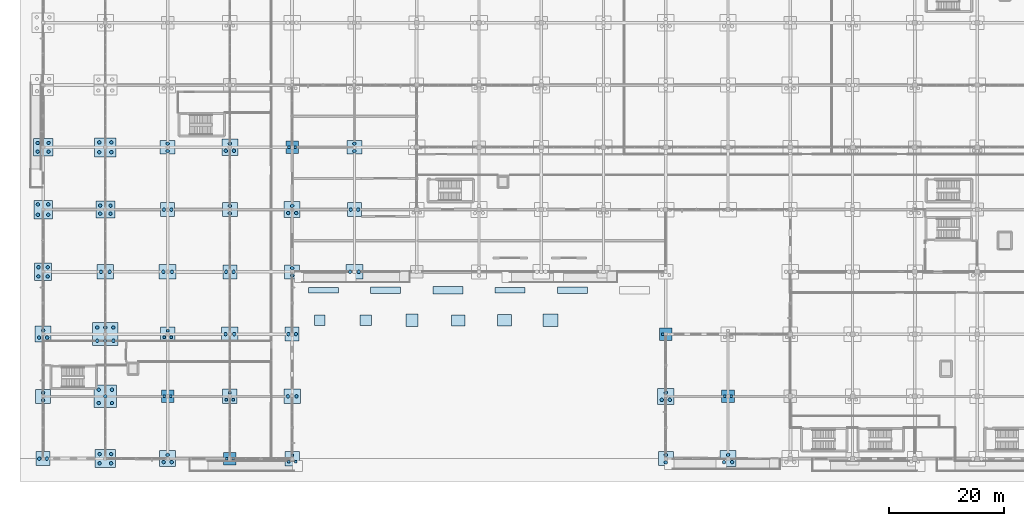
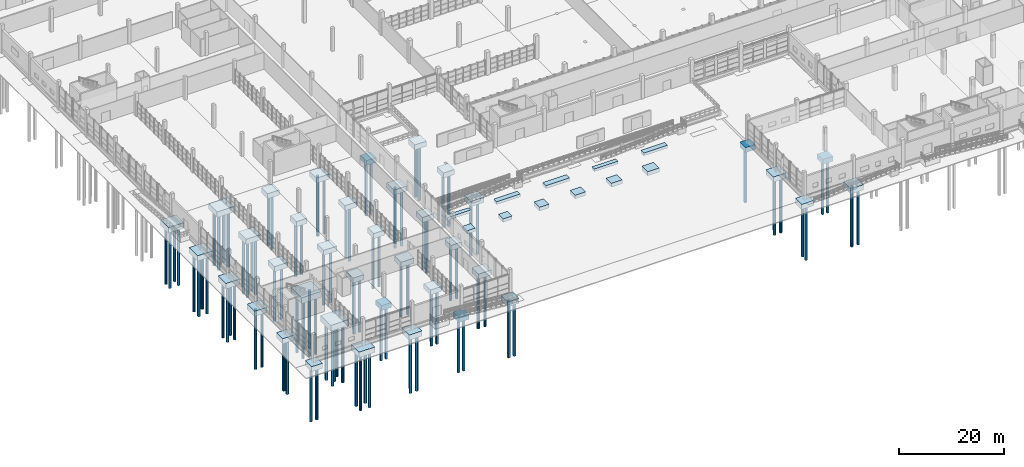
# One storey, part 1 of 138: 103 piles, 49 footings.
"""IFC4 building model written with IfcOpenShell, lengths in metres."""

from ifc_helpers import new_model, si_unit, direction, frame, origin, origin_2d, place, context, subcontext, project, spatial, rectangle, circle, extrude, material, material_profile, profile_set, type_object, element, save


model = new_model("IFC4")

# Units and contexts
model_context = context("Model", 3, precision=1e-05, world=origin(), true_north=direction((0.0, 1.0)))
body_context = subcontext(model_context, "Body", "Model", "MODEL_VIEW")
ifc_project = project(units=[si_unit("LENGTHUNIT", "METRE"), si_unit("AREAUNIT", "SQUARE_METRE"), si_unit("VOLUMEUNIT", "CUBIC_METRE"), si_unit("PLANEANGLEUNIT", "RADIAN"), si_unit("MASSUNIT", "GRAM", prefix="KILO")], contexts=[model_context])

# Site, building, storey
site_placement = place(None, origin())
site = spatial("IfcSite", under=ifc_project, at=site_placement, CompositionType="ELEMENT")
building_placement = place(site_placement, origin())
building = spatial("IfcBuilding", under=site, at=building_placement, Name="Zwinboog Wholesale Market", CompositionType="ELEMENT")
storey_placement = place(building_placement, origin())
storey = spatial("IfcBuildingStorey", under=building, at=storey_placement, Name="L00", CompositionType="ELEMENT", Elevation=0.0)

# Piles
ifc_material_1 = material(Name="Concrete C40/50", Category="concrete")
ifc_material_profile_1 = material_profile(ifc_material_1, circle(Radius=0.300048828125, at=origin_2d()), Name="PILE D600")
ifc_profile_set_1 = profile_set([ifc_material_profile_1], Name="Concrete C40/50")
pile_type_1 = type_object("IfcPileType", Name="PT-BORED-600", PredefinedType="BORED", material=ifc_profile_set_1)
for number, where, z_axis, x_axis, name in (
    (1, (-0.64990234375, 0.0, -2.300048828125), (0.0, 0.0, -1.0), (1.0, 0.0, 0.0), "P-01 (PIL-0001)"),
    (2, (0.64990234375, 0.0, -2.300048828125), (0.0, 0.0, -1.0), (1.0, 0.0, 0.0), "P-01 (PIL-0002)"),
    (3, (0.0, 10.14990234375, -2.300048828125), (0.0, 0.0, -1.0), (1.0, 0.0, 0.0), "P-01 (PIL-0003)"),
    (4, (0.0, 11.449951171875, -2.300048828125), (0.0, 0.0, -1.0), (1.0, 0.0, 0.0), "P-01 (PIL-0004)"),
):
    element("IfcPile", number, at=place(storey_placement, frame(where, z_axis=z_axis, x_axis=x_axis)), inside=storey, type_object=pile_type_1, Name=name, PredefinedType="BORED", context=body_context, shape_type="SweptSolid", body=[
        extrude(circle(Radius=0.300048828125, at=origin_2d()), origin(), (0.0, 0.0, 1.0), 12.5),
    ])
for number, where, z_axis, x_axis, name in (
    (5, (-0.699951171875, 21.0, -2.300048828125), (0.0, 0.0, -1.0), (1.0, 0.0, 0.0), "P-01 (PIL-0005)"),
    (6, (0.699951171875, 21.0, -2.300048828125), (0.0, 0.0, -1.0), (1.0, 0.0, 0.0), "P-01 (PIL-0006)"),
    (7, (0.0, 22.25, -2.300048828125), (0.0, 0.0, -1.0), (1.0, 0.0, 0.0), "P-01 (PIL-0007)"),
    (8, (-0.800048828125, 31.60009765625, -2.35009765625), (0.0, 0.0, -1.0), (1.0, 0.0, 0.0), "P-01 (PIL-0008)"),
    (9, (0.800048828125, 31.60009765625, -2.35009765625), (0.0, 0.0, -1.0), (1.0, 0.0, 0.0), "P-01 (PIL-0009)"),
    (10, (-0.800048828125, 33.199951171875, -2.35009765625), (0.0, 0.0, -1.0), (1.0, 0.0, 0.0), "P-01 (PIL-0010)"),
    (11, (0.800048828125, 33.199951171875, -2.35009765625), (0.0, 0.0, -1.0), (1.0, 0.0, 0.0), "P-01 (PIL-0011)"),
):
    element("IfcPile", number, at=place(storey_placement, frame(where, z_axis=z_axis, x_axis=x_axis)), inside=storey, type_object=pile_type_1, Name=name, PredefinedType="BORED", context=body_context, shape_type="SweptSolid", body=[
        extrude(circle(Radius=0.300048828125, at=origin_2d()), origin(), (0.0, 0.0, 1.0), 13.0),
    ])
for number, where, z_axis, x_axis, name in (
    (12, (-0.89990234375, 42.300048828125, -2.35009765625), (0.0, 0.0, -1.0), (1.0, 0.0, 0.0), "P-01 (PIL-0012)"),
    (13, (0.89990234375, 42.300048828125, -2.35009765625), (0.0, 0.0, -1.0), (1.0, 0.0, 0.0), "P-01 (PIL-0013)"),
    (14, (-0.89990234375, 44.10009765625, -2.35009765625), (0.0, 0.0, -1.0), (1.0, 0.0, 0.0), "P-01 (PIL-0014)"),
    (15, (0.89990234375, 44.10009765625, -2.35009765625), (0.0, 0.0, -1.0), (1.0, 0.0, 0.0), "P-01 (PIL-0015)"),
    (16, (-0.949951171875, 53.25, -2.39990234375), (0.0, 0.0, -1.0), (1.0, 0.0, 0.0), "P-01 (PIL-0016)"),
    (17, (0.949951171875, 53.25, -2.39990234375), (0.0, 0.0, -1.0), (1.0, 0.0, 0.0), "P-01 (PIL-0017)"),
    (18, (-0.949951171875, 54.75, -2.39990234375), (0.0, 0.0, -1.0), (1.0, 0.0, 0.0), "P-01 (PIL-0018)"),
    (19, (0.949951171875, 54.75, -2.39990234375), (0.0, 0.0, -1.0), (1.0, 0.0, 0.0), "P-01 (PIL-0019)"),
):
    element("IfcPile", number, at=place(storey_placement, frame(where, z_axis=z_axis, x_axis=x_axis)), inside=storey, type_object=pile_type_1, Name=name, PredefinedType="BORED", context=body_context, shape_type="SweptSolid", body=[
        extrude(circle(Radius=0.300048828125, at=origin_2d()), origin(), (0.0, 0.0, 1.0), 13.5),
    ])
for number, where, z_axis, x_axis, name in (
    (20, (9.800048828125, -0.800048828125, -2.35009765625), (0.0, 0.0, -1.0), (1.0, 0.0, 0.0), "P-01 (PIL-0048)"),
    (21, (11.800048828125, -0.800048828125, -2.35009765625), (0.0, 0.0, -1.0), (1.0, 0.0, 0.0), "P-01 (PIL-0049)"),
    (22, (9.800048828125, 0.800048828125, -2.35009765625), (0.0, 0.0, -1.0), (1.0, 0.0, 0.0), "P-01 (PIL-0050)"),
    (23, (11.800048828125, 0.800048828125, -2.35009765625), (0.0, 0.0, -1.0), (1.0, 0.0, 0.0), "P-01 (PIL-0051)"),
):
    element("IfcPile", number, at=place(storey_placement, frame(where, z_axis=z_axis, x_axis=x_axis)), inside=storey, type_object=pile_type_1, Name=name, PredefinedType="BORED", context=body_context, shape_type="SweptSolid", body=[
        extrude(circle(Radius=0.300048828125, at=origin_2d()), origin(), (0.0, 0.0, 1.0), 13.0),
    ])
for number, where, z_axis, x_axis, name in (
    (24, (9.64990234375, 9.64990234375, -2.449951171875), (0.0, 0.0, -1.0), (1.0, 0.0, 0.0), "P-01 (PIL-0052)"),
    (25, (11.949951171875, 9.64990234375, -2.449951171875), (0.0, 0.0, -1.0), (1.0, 0.0, 0.0), "P-01 (PIL-0053)"),
    (26, (10.800048828125, 10.800048828125, -2.449951171875), (0.0, 0.0, -1.0), (1.0, 0.0, 0.0), "P-01 (PIL-0054)"),
    (27, (9.64990234375, 11.949951171875, -2.449951171875), (0.0, 0.0, -1.0), (1.0, 0.0, 0.0), "P-01 (PIL-0055)"),
    (28, (11.949951171875, 11.949951171875, -2.449951171875), (0.0, 0.0, -1.0), (1.0, 0.0, 0.0), "P-01 (PIL-0056)"),
    (29, (9.39990234375, 20.449951171875, -2.5), (0.0, 0.0, -1.0), (1.0, 0.0, 0.0), "P-01 (PIL-0057)"),
    (30, (10.800048828125, 20.449951171875, -2.5), (0.0, 0.0, -1.0), (1.0, 0.0, 0.0), "P-01 (PIL-0058)"),
    (31, (12.199951171875, 20.449951171875, -2.5), (0.0, 0.0, -1.0), (1.0, 0.0, 0.0), "P-01 (PIL-0059)"),
    (32, (9.39990234375, 22.75, -2.5), (0.0, 0.0, -1.0), (1.0, 0.0, 0.0), "P-01 (PIL-0060)"),
    (33, (10.800048828125, 22.75, -2.5), (0.0, 0.0, -1.0), (1.0, 0.0, 0.0), "P-01 (PIL-0061)"),
    (34, (12.199951171875, 22.75, -2.5), (0.0, 0.0, -1.0), (1.0, 0.0, 0.0), "P-01 (PIL-0062)"),
):
    element("IfcPile", number, at=place(storey_placement, frame(where, z_axis=z_axis, x_axis=x_axis)), inside=storey, type_object=pile_type_1, Name=name, PredefinedType="BORED", context=body_context, shape_type="SweptSolid", body=[
        extrude(circle(Radius=0.300048828125, at=origin_2d()), origin(), (0.0, 0.0, 1.0), 13.5),
    ])
for number, where, z_axis, x_axis, name in (
    (35, (10.050048828125, 32.39990234375, -2.300048828125), (0.0, 0.0, -1.0), (1.0, 0.0, 0.0), "P-01 (PIL-0063)"),
    (36, (11.550048828125, 32.39990234375, -2.300048828125), (0.0, 0.0, -1.0), (1.0, 0.0, 0.0), "P-01 (PIL-0064)"),
):
    element("IfcPile", number, at=place(storey_placement, frame(where, z_axis=z_axis, x_axis=x_axis)), inside=storey, type_object=pile_type_1, Name=name, PredefinedType="BORED", context=body_context, shape_type="SweptSolid", body=[
        extrude(circle(Radius=0.300048828125, at=origin_2d()), origin(), (0.0, 0.0, 1.0), 12.5),
    ])
for number, where, z_axis, x_axis, name in (
    (37, (9.89990234375, 42.5, -2.35009765625), (0.0, 0.0, -1.0), (1.0, 0.0, 0.0), "P-01 (PIL-0065)"),
    (38, (11.699951171875, 42.5, -2.35009765625), (0.0, 0.0, -1.0), (1.0, 0.0, 0.0), "P-01 (PIL-0066)"),
    (39, (9.89990234375, 43.89990234375, -2.35009765625), (0.0, 0.0, -1.0), (1.0, 0.0, 0.0), "P-01 (PIL-0067)"),
    (40, (11.699951171875, 43.89990234375, -2.35009765625), (0.0, 0.0, -1.0), (1.0, 0.0, 0.0), "P-01 (PIL-0068)"),
    (41, (9.75, 53.14990234375, -2.39990234375), (0.0, 0.0, -1.0), (1.0, 0.0, 0.0), "P-01 (PIL-0069)"),
    (42, (11.85009765625, 53.14990234375, -2.39990234375), (0.0, 0.0, -1.0), (1.0, 0.0, 0.0), "P-01 (PIL-0070)"),
    (43, (9.75, 54.85009765625, -2.39990234375), (0.0, 0.0, -1.0), (1.0, 0.0, 0.0), "P-01 (PIL-0071)"),
    (44, (11.85009765625, 54.85009765625, -2.39990234375), (0.0, 0.0, -1.0), (1.0, 0.0, 0.0), "P-01 (PIL-0072)"),
    (45, (20.89990234375, -0.60009765625, -2.300048828125), (0.0, 0.0, -1.0), (1.0, 0.0, 0.0), "P-01 (PIL-0092)"),
    (46, (22.300048828125, -0.60009765625, -2.300048828125), (0.0, 0.0, -1.0), (1.0, 0.0, 0.0), "P-01 (PIL-0093)"),
    (47, (21.60009765625, 0.64990234375, -2.300048828125), (0.0, 0.0, -1.0), (1.0, 0.0, 0.0), "P-01 (PIL-0094)"),
):
    element("IfcPile", number, at=place(storey_placement, frame(where, z_axis=z_axis, x_axis=x_axis)), inside=storey, type_object=pile_type_1, Name=name, PredefinedType="BORED", context=body_context, shape_type="SweptSolid", body=[
        extrude(circle(Radius=0.300048828125, at=origin_2d()), origin(), (0.0, 0.0, 1.0), 13.0),
    ])
for number, where, z_axis, x_axis, name in (
    (48, (20.85009765625, 32.39990234375, -2.300048828125), (0.0, 0.0, -1.0), (1.0, 0.0, 0.0), "P-01 (PIL-0100)"),
    (49, (22.35009765625, 32.39990234375, -2.300048828125), (0.0, 0.0, -1.0), (1.0, 0.0, 0.0), "P-01 (PIL-0101)"),
    (50, (20.949951171875, 43.199951171875, -2.300048828125), (0.0, 0.0, -1.0), (1.0, 0.0, 0.0), "P-01 (PIL-0102)"),
    (51, (22.25, 43.199951171875, -2.300048828125), (0.0, 0.0, -1.0), (1.0, 0.0, 0.0), "P-01 (PIL-0103)"),
    (52, (21.60009765625, 53.35009765625, -2.300048828125), (0.0, 0.0, -1.0), (1.0, 0.0, 0.0), "P-01 (PIL-0104)"),
    (53, (21.60009765625, 54.64990234375, -2.300048828125), (0.0, 0.0, -1.0), (1.0, 0.0, 0.0), "P-01 (PIL-0105)"),
    (54, (31.64990234375, 21.60009765625, -2.300048828125), (0.0, 0.0, -1.0), (1.0, 0.0, 0.0), "P-01 (PIL-0128)"),
    (55, (33.14990234375, 21.60009765625, -2.300048828125), (0.0, 0.0, -1.0), (1.0, 0.0, 0.0), "P-01 (PIL-0129)"),
    (56, (31.75, 32.39990234375, -2.300048828125), (0.0, 0.0, -1.0), (1.0, 0.0, 0.0), "P-01 (PIL-0130)"),
    (57, (33.050048828125, 32.39990234375, -2.300048828125), (0.0, 0.0, -1.0), (1.0, 0.0, 0.0), "P-01 (PIL-0131)"),
    (58, (32.39990234375, 42.550048828125, -2.300048828125), (0.0, 0.0, -1.0), (1.0, 0.0, 0.0), "P-01 (PIL-0132)"),
    (59, (32.39990234375, 43.85009765625, -2.300048828125), (0.0, 0.0, -1.0), (1.0, 0.0, 0.0), "P-01 (PIL-0133)"),
):
    element("IfcPile", number, at=place(storey_placement, frame(where, z_axis=z_axis, x_axis=x_axis)), inside=storey, type_object=pile_type_1, Name=name, PredefinedType="BORED", context=body_context, shape_type="SweptSolid", body=[
        extrude(circle(Radius=0.300048828125, at=origin_2d()), origin(), (0.0, 0.0, 1.0), 12.5),
    ])
for number, where, z_axis, x_axis, name in (
    (60, (31.699951171875, 53.39990234375, -2.300048828125), (0.0, 0.0, -1.0), (1.0, 0.0, 0.0), "P-01 (PIL-0134)"),
    (61, (33.10009765625, 53.39990234375, -2.300048828125), (0.0, 0.0, -1.0), (1.0, 0.0, 0.0), "P-01 (PIL-0135)"),
    (62, (32.39990234375, 54.64990234375, -2.300048828125), (0.0, 0.0, -1.0), (1.0, 0.0, 0.0), "P-01 (PIL-0136)"),
):
    element("IfcPile", number, at=place(storey_placement, frame(where, z_axis=z_axis, x_axis=x_axis)), inside=storey, type_object=pile_type_1, Name=name, PredefinedType="BORED", context=body_context, shape_type="SweptSolid", body=[
        extrude(circle(Radius=0.300048828125, at=origin_2d()), origin(), (0.0, 0.0, 1.0), 13.0),
    ])
for number, where, z_axis, x_axis, name in (
    (63, (42.449951171875, 10.800048828125, -2.300048828125), (0.0, 0.0, -1.0), (1.0, 0.0, 0.0), "P-01 (PIL-0156)"),
    (64, (43.949951171875, 10.800048828125, -2.300048828125), (0.0, 0.0, -1.0), (1.0, 0.0, 0.0), "P-01 (PIL-0157)"),
    (65, (42.550048828125, 21.60009765625, -2.300048828125), (0.0, 0.0, -1.0), (1.0, 0.0, 0.0), "P-01 (PIL-0158)"),
    (66, (43.85009765625, 21.60009765625, -2.300048828125), (0.0, 0.0, -1.0), (1.0, 0.0, 0.0), "P-01 (PIL-0159)"),
    (67, (43.199951171875, 31.75, -2.300048828125), (0.0, 0.0, -1.0), (1.0, 0.0, 0.0), "P-01 (PIL-0160)"),
    (68, (43.199951171875, 33.050048828125, -2.300048828125), (0.0, 0.0, -1.0), (1.0, 0.0, 0.0), "P-01 (PIL-0161)"),
):
    element("IfcPile", number, at=place(storey_placement, frame(where, z_axis=z_axis, x_axis=x_axis)), inside=storey, type_object=pile_type_1, Name=name, PredefinedType="BORED", context=body_context, shape_type="SweptSolid", body=[
        extrude(circle(Radius=0.300048828125, at=origin_2d()), origin(), (0.0, 0.0, 1.0), 12.5),
    ])
for number, where, z_axis, x_axis, name in (
    (69, (42.5, 42.60009765625, -2.300048828125), (0.0, 0.0, -1.0), (1.0, 0.0, 0.0), "P-01 (PIL-0162)"),
    (70, (43.89990234375, 42.60009765625, -2.300048828125), (0.0, 0.0, -1.0), (1.0, 0.0, 0.0), "P-01 (PIL-0163)"),
    (71, (43.199951171875, 43.85009765625, -2.300048828125), (0.0, 0.0, -1.0), (1.0, 0.0, 0.0), "P-01 (PIL-0164)"),
):
    element("IfcPile", number, at=place(storey_placement, frame(where, z_axis=z_axis, x_axis=x_axis)), inside=storey, type_object=pile_type_1, Name=name, PredefinedType="BORED", context=body_context, shape_type="SweptSolid", body=[
        extrude(circle(Radius=0.300048828125, at=origin_2d()), origin(), (0.0, 0.0, 1.0), 13.0),
    ])
for number, where, z_axis, x_axis, name in (
    (72, (53.25, 32.39990234375, -2.300048828125), (0.0, 0.0, -1.0), (1.0, 0.0, 0.0), "P-01 (PIL-0184)"),
    (73, (54.75, 32.39990234375, -2.300048828125), (0.0, 0.0, -1.0), (1.0, 0.0, 0.0), "P-01 (PIL-0185)"),
    (74, (53.35009765625, 43.199951171875, -2.300048828125), (0.0, 0.0, -1.0), (1.0, 0.0, 0.0), "P-01 (PIL-0186)"),
    (75, (54.64990234375, 43.199951171875, -2.300048828125), (0.0, 0.0, -1.0), (1.0, 0.0, 0.0), "P-01 (PIL-0187)"),
    (76, (54.0, 53.35009765625, -2.300048828125), (0.0, 0.0, -1.0), (1.0, 0.0, 0.0), "P-01 (PIL-0188)"),
    (77, (54.0, 54.64990234375, -2.300048828125), (0.0, 0.0, -1.0), (1.0, 0.0, 0.0), "P-01 (PIL-0189)"),
    (78, (108.0, -0.64990234375, -2.300048828125), (0.0, 0.0, -1.0), (1.0, 0.0, 0.0), "P-01 (PIL-0300)"),
    (79, (108.0, 0.64990234375, -2.300048828125), (0.0, 0.0, -1.0), (1.0, 0.0, 0.0), "P-01 (PIL-0301)"),
):
    element("IfcPile", number, at=place(storey_placement, frame(where, z_axis=z_axis, x_axis=x_axis)), inside=storey, type_object=pile_type_1, Name=name, PredefinedType="BORED", context=body_context, shape_type="SweptSolid", body=[
        extrude(circle(Radius=0.300048828125, at=origin_2d()), origin(), (0.0, 0.0, 1.0), 12.5),
    ])
for number, where, z_axis, x_axis, name in (
    (80, (107.300048828125, 10.199951171875, -2.300048828125), (0.0, 0.0, -1.0), (1.0, 0.0, 0.0), "P-01 (PIL-0302)"),
    (81, (108.699951171875, 10.199951171875, -2.300048828125), (0.0, 0.0, -1.0), (1.0, 0.0, 0.0), "P-01 (PIL-0303)"),
    (82, (108.0, 11.449951171875, -2.300048828125), (0.0, 0.0, -1.0), (1.0, 0.0, 0.0), "P-01 (PIL-0304)"),
    (83, (118.10009765625, -0.60009765625, -2.300048828125), (0.0, 0.0, -1.0), (1.0, 0.0, 0.0), "P-01 (PIL-0330)"),
    (84, (119.5, -0.60009765625, -2.300048828125), (0.0, 0.0, -1.0), (1.0, 0.0, 0.0), "P-01 (PIL-0331)"),
    (85, (118.800048828125, 0.64990234375, -2.300048828125), (0.0, 0.0, -1.0), (1.0, 0.0, 0.0), "P-01 (PIL-0332)"),
):
    element("IfcPile", number, at=place(storey_placement, frame(where, z_axis=z_axis, x_axis=x_axis)), inside=storey, type_object=pile_type_1, Name=name, PredefinedType="BORED", context=body_context, shape_type="SweptSolid", body=[
        extrude(circle(Radius=0.300048828125, at=origin_2d()), origin(), (0.0, 0.0, 1.0), 13.0),
    ])
ifc_material_profile_2 = material_profile(ifc_material_1, rectangle(XDim=0.449951171875, YDim=0.449951171875, at=origin_2d()), Name="PILE SQ450")
ifc_profile_set_2 = profile_set([ifc_material_profile_2], Name="Concrete C40/50")
pile_type_2 = type_object("IfcPileType", Name="PT-DRIVEN-450", PredefinedType="DRIVEN", material=ifc_profile_set_2)
for number, where, z_axis, x_axis, name in (
    (86, (21.050048828125, 10.800048828125, -2.25), (0.0, 0.0, -1.0), (1.0, 0.0, 0.0), "P-02 (PIL-0095)"),
    (87, (22.14990234375, 10.800048828125, -2.25), (0.0, 0.0, -1.0), (1.0, 0.0, 0.0), "P-02 (PIL-0096)"),
    (88, (21.0, 21.050048828125, -2.25), (0.0, 0.0, -1.0), (1.0, 0.0, 0.0), "P-02 (PIL-0097)"),
    (89, (22.199951171875, 21.050048828125, -2.25), (0.0, 0.0, -1.0), (1.0, 0.0, 0.0), "P-02 (PIL-0098)"),
    (90, (21.60009765625, 22.199951171875, -2.25), (0.0, 0.0, -1.0), (1.0, 0.0, 0.0), "P-02 (PIL-0099)"),
    (91, (31.85009765625, 0.0, -2.25), (0.0, 0.0, -1.0), (1.0, 0.0, 0.0), "P-02 (PIL-0123)"),
    (92, (32.949951171875, 0.0, -2.25), (0.0, 0.0, -1.0), (1.0, 0.0, 0.0), "P-02 (PIL-0124)"),
    (93, (31.800048828125, 10.25, -2.25), (0.0, 0.0, -1.0), (1.0, 0.0, 0.0), "P-02 (PIL-0125)"),
    (94, (33.0, 10.25, -2.25), (0.0, 0.0, -1.0), (1.0, 0.0, 0.0), "P-02 (PIL-0126)"),
    (95, (32.39990234375, 11.39990234375, -2.25), (0.0, 0.0, -1.0), (1.0, 0.0, 0.0), "P-02 (PIL-0127)"),
    (96, (42.60009765625, -0.550048828125, -2.25), (0.0, 0.0, -1.0), (1.0, 0.0, 0.0), "P-02 (PIL-0153)"),
    (97, (43.800048828125, -0.550048828125, -2.25), (0.0, 0.0, -1.0), (1.0, 0.0, 0.0), "P-02 (PIL-0154)"),
    (98, (43.199951171875, 0.60009765625, -2.25), (0.0, 0.0, -1.0), (1.0, 0.0, 0.0), "P-02 (PIL-0155)"),
    (99, (42.64990234375, 54.0, -2.25), (0.0, 0.0, -1.0), (1.0, 0.0, 0.0), "P-02 (PIL-0165)"),
    (100, (43.75, 54.0, -2.25), (0.0, 0.0, -1.0), (1.0, 0.0, 0.0), "P-02 (PIL-0166)"),
    (101, (107.449951171875, 21.60009765625, -2.25), (0.0, 0.0, -1.0), (1.0, 0.0, 0.0), "P-02 (PIL-0305)"),
    (102, (118.25, 10.800048828125, -2.25), (0.0, 0.0, -1.0), (1.0, 0.0, 0.0), "P-02 (PIL-0333)"),
    (103, (119.35009765625, 10.800048828125, -2.25), (0.0, 0.0, -1.0), (1.0, 0.0, 0.0), "P-02 (PIL-0334)"),
):
    element("IfcPile", number, at=place(storey_placement, frame(where, z_axis=z_axis, x_axis=x_axis)), inside=storey, type_object=pile_type_2, Name=name, PredefinedType="DRIVEN", context=body_context, shape_type="SweptSolid", body=[
        extrude(rectangle(XDim=0.449951171875, YDim=0.449951171875, at=origin_2d()), origin(), (0.0, 0.0, 1.0), 12.5),
    ])

# Footings
ifc_material_2 = material(Name="Concrete C35/45", Category="concrete")
footing_type_1 = type_object("IfcFootingType", Name="FT-PC-01", PredefinedType="PILE_CAP", material=ifc_material_2)
for number, where, z_axis, x_axis, name in (
    (104, (0.0, 0.0, -2.39990234375), (0.0, 0.0, 1.0), (1.0, 0.0, 0.0), "FC-01 (FND-PC-001)"),
    (105, (21.60009765625, 43.199951171875, -2.39990234375), (0.0, 0.0, 1.0), (1.0, 0.0, 0.0), "FC-01 (FND-PC-031)"),
    (106, (32.39990234375, 32.39990234375, -2.39990234375), (0.0, 0.0, 1.0), (1.0, 0.0, 0.0), "FC-01 (FND-PC-043)"),
    (107, (43.199951171875, 21.60009765625, -2.39990234375), (0.0, 0.0, 1.0), (1.0, 0.0, 0.0), "FC-01 (FND-PC-055)"),
    (108, (54.0, 43.199951171875, -2.39990234375), (0.0, 0.0, 1.0), (1.0, 0.0, 0.0), "FC-01 (FND-PC-067)"),
):
    element("IfcFooting", number, at=place(storey_placement, frame(where, z_axis=z_axis, x_axis=x_axis)), inside=storey, type_object=footing_type_1, Name=name, PredefinedType="PILE_CAP", context=body_context, shape_type="SweptSolid", body=[
        extrude(rectangle(XDim=2.39990234375, YDim=2.39990234375, at=origin_2d()), origin(), (0.0, 0.0, 1.0), 1.199951171875),
    ])
footing_type_2 = type_object("IfcFootingType", Name="FT-PC-02", PredefinedType="PILE_CAP", material=ifc_material_2)
for number, where, z_axis, x_axis, name in (
    (109, (0.0, 10.800048828125, -2.39990234375), (0.0, 0.0, 1.0), (1.0, 0.0, 0.0), "FC-02 (FND-PC-002)"),
    (110, (21.60009765625, 54.0, -2.39990234375), (0.0, 0.0, 1.0), (1.0, 0.0, 0.0), "FC-02 (FND-PC-032)"),
    (111, (32.39990234375, 43.199951171875, -2.39990234375), (0.0, 0.0, 1.0), (1.0, 0.0, 0.0), "FC-02 (FND-PC-044)"),
    (112, (43.199951171875, 32.39990234375, -2.39990234375), (0.0, 0.0, 1.0), (1.0, 0.0, 0.0), "FC-02 (FND-PC-056)"),
    (113, (54.0, 54.0, -2.39990234375), (0.0, 0.0, 1.0), (1.0, 0.0, 0.0), "FC-02 (FND-PC-068)"),
    (114, (108.0, 0.0, -2.39990234375), (0.0, 0.0, 1.0), (1.0, 0.0, 0.0), "FC-02 (FND-PC-116)"),
):
    element("IfcFooting", number, at=place(storey_placement, frame(where, z_axis=z_axis, x_axis=x_axis)), inside=storey, type_object=footing_type_2, Name=name, PredefinedType="PILE_CAP", context=body_context, shape_type="SweptSolid", body=[
        extrude(rectangle(XDim=2.60009765625, YDim=2.39990234375, at=origin_2d()), origin(), (0.0, 0.0, 1.0), 1.199951171875),
    ])
footing_type_3 = type_object("IfcFootingType", Name="FT-PC-03", PredefinedType="PILE_CAP", material=ifc_material_2)
for number, where, z_axis, x_axis, name in (
    (115, (0.0, 21.60009765625, -2.39990234375), (0.0, 0.0, 1.0), (1.0, 0.0, 0.0), "FC-03 (FND-PC-003)"),
    (116, (21.60009765625, 0.0, -2.39990234375), (0.0, 0.0, 1.0), (1.0, 0.0, 0.0), "FC-03 (FND-PC-027)"),
    (117, (32.39990234375, 54.0, -2.39990234375), (0.0, 0.0, 1.0), (1.0, 0.0, 0.0), "FC-03 (FND-PC-045)"),
    (118, (43.199951171875, 43.199951171875, -2.39990234375), (0.0, 0.0, 1.0), (1.0, 0.0, 0.0), "FC-03 (FND-PC-057)"),
    (119, (108.0, 10.800048828125, -2.39990234375), (0.0, 0.0, 1.0), (1.0, 0.0, 0.0), "FC-03 (FND-PC-117)"),
    (120, (118.800048828125, 0.0, -2.39990234375), (0.0, 0.0, 1.0), (1.0, 0.0, 0.0), "FC-03 (FND-PC-129)"),
):
    element("IfcFooting", number, at=place(storey_placement, frame(where, z_axis=z_axis, x_axis=x_axis)), inside=storey, type_object=footing_type_3, Name=name, PredefinedType="PILE_CAP", context=body_context, shape_type="SweptSolid", body=[
        extrude(rectangle(XDim=2.800048828125, YDim=2.800048828125, at=origin_2d()), origin(), (0.0, 0.0, 1.0), 1.199951171875),
    ])
footing_type_4 = type_object("IfcFootingType", Name="FT-PC-04", PredefinedType="PILE_CAP", material=ifc_material_2)
footing_1_placement = place(storey_placement, frame((0.0, 32.39990234375, -2.449951171875), z_axis=(0.0, 0.0, 1.0), x_axis=(1.0, 0.0, 0.0)))
element("IfcFooting", 121, at=footing_1_placement, inside=storey, type_object=footing_type_4, Name="FC-04 (FND-PC-004)", PredefinedType="PILE_CAP", context=body_context, shape_type="SweptSolid", body=[
    extrude(rectangle(XDim=3.0, YDim=3.0, at=origin_2d()), origin(), (0.0, 0.0, 1.0), 1.25),
])
footing_type_5 = type_object("IfcFootingType", Name="FT-PC-05", PredefinedType="PILE_CAP", material=ifc_material_2)
footing_2_placement = place(storey_placement, frame((0.0, 43.199951171875, -2.449951171875), z_axis=(0.0, 0.0, 1.0), x_axis=(1.0, 0.0, 0.0)))
element("IfcFooting", 122, at=footing_2_placement, inside=storey, type_object=footing_type_5, Name="FC-05 (FND-PC-005)", PredefinedType="PILE_CAP", context=body_context, shape_type="SweptSolid", body=[
    extrude(rectangle(XDim=3.199951171875, YDim=3.199951171875, at=origin_2d()), origin(), (0.0, 0.0, 1.0), 1.25),
])
footing_type_6 = type_object("IfcFootingType", Name="FT-PC-06", PredefinedType="PILE_CAP", material=ifc_material_2)
footing_3_placement = place(storey_placement, frame((0.0, 54.0, -2.5), z_axis=(0.0, 0.0, 1.0), x_axis=(1.0, 0.0, 0.0)))
element("IfcFooting", 123, at=footing_3_placement, inside=storey, type_object=footing_type_6, Name="FC-06 (FND-PC-006)", PredefinedType="PILE_CAP", context=body_context, shape_type="SweptSolid", body=[
    extrude(rectangle(XDim=3.39990234375, YDim=3.0, at=origin_2d()), origin(), (0.0, 0.0, 1.0), 1.300048828125),
])
footing_type_7 = type_object("IfcFootingType", Name="FT-PC-10", PredefinedType="PILE_CAP", material=ifc_material_2)
for number, where, z_axis, x_axis, name in (
    (124, (21.60009765625, 10.800048828125, -2.349853515625), (0.0, 0.0, 1.0), (1.0, 0.0, 0.0), "FC-10 (FND-PC-028)"),
    (125, (32.39990234375, 0.0, -2.349853515625), (0.0, 0.0, 1.0), (1.0, 0.0, 0.0), "FC-10 (FND-PC-040)"),
    (126, (43.199951171875, 54.0, -2.349853515625), (0.0, 0.0, 1.0), (1.0, 0.0, 0.0), "FC-10 (FND-PC-058)"),
    (127, (108.0, 21.60009765625, -2.349853515625), (0.0, 0.0, 1.0), (1.0, 0.0, 0.0), "FC-10 (FND-PC-118)"),
    (128, (118.800048828125, 10.800048828125, -2.349853515625), (0.0, 0.0, 1.0), (1.0, 0.0, 0.0), "FC-10 (FND-PC-130)"),
):
    element("IfcFooting", number, at=place(storey_placement, frame(where, z_axis=z_axis, x_axis=x_axis)), inside=storey, type_object=footing_type_7, Name=name, PredefinedType="PILE_CAP", context=body_context, shape_type="SweptSolid", body=[
        extrude(rectangle(XDim=2.199951171875, YDim=2.199951171875, at=origin_2d()), origin(), (0.0, 0.0, 1.0), 1.14990234375),
    ])
footing_type_8 = type_object("IfcFootingType", Name="FT-PC-11", PredefinedType="PILE_CAP", material=ifc_material_2)
for number, where, z_axis, x_axis, name in (
    (129, (21.60009765625, 21.60009765625, -2.349853515625), (0.0, 0.0, 1.0), (1.0, 0.0, 0.0), "FC-11 (FND-PC-029)"),
    (130, (32.39990234375, 10.800048828125, -2.349853515625), (0.0, 0.0, 1.0), (1.0, 0.0, 0.0), "FC-11 (FND-PC-041)"),
    (131, (43.199951171875, 0.0, -2.349853515625), (0.0, 0.0, 1.0), (1.0, 0.0, 0.0), "FC-11 (FND-PC-053)"),
):
    element("IfcFooting", number, at=place(storey_placement, frame(where, z_axis=z_axis, x_axis=x_axis)), inside=storey, type_object=footing_type_8, Name=name, PredefinedType="PILE_CAP", context=body_context, shape_type="SweptSolid", body=[
        extrude(rectangle(XDim=2.5, YDim=2.5, at=origin_2d()), origin(), (0.0, 0.0, 1.0), 1.14990234375),
    ])
footing_type_9 = type_object("IfcFootingType", Name="FT-PC-14", PredefinedType="PILE_CAP", material=ifc_material_2)
footing_4_placement = place(storey_placement, frame((10.800048828125, 0.0, -2.449951171875), z_axis=(0.0, 0.0, 1.0), x_axis=(1.0, 0.0, 0.0)))
element("IfcFooting", 132, at=footing_4_placement, inside=storey, type_object=footing_type_9, Name="FC-14 (FND-PC-014)", PredefinedType="PILE_CAP", context=body_context, shape_type="SweptSolid", body=[
    extrude(rectangle(XDim=3.5, YDim=3.10009765625, at=origin_2d()), origin(), (0.0, 0.0, 1.0), 1.25),
])
footing_type_10 = type_object("IfcFootingType", Name="FT-PC-15", PredefinedType="PILE_CAP", material=ifc_material_2)
footing_5_placement = place(storey_placement, frame((10.800048828125, 10.800048828125, -2.550048828125), z_axis=(0.0, 0.0, 1.0), x_axis=(1.0, 0.0, 0.0)))
element("IfcFooting", 133, at=footing_5_placement, inside=storey, type_object=footing_type_10, Name="FC-15 (FND-PC-015)", PredefinedType="PILE_CAP", context=body_context, shape_type="SweptSolid", body=[
    extrude(rectangle(XDim=3.89990234375, YDim=3.89990234375, at=origin_2d()), origin(), (0.0, 0.0, 1.0), 1.35009765625),
])
footing_type_11 = type_object("IfcFootingType", Name="FT-PC-16", PredefinedType="PILE_CAP", material=ifc_material_2)
footing_6_placement = place(storey_placement, frame((10.800048828125, 21.60009765625, -2.599853515625), z_axis=(0.0, 0.0, 1.0), x_axis=(1.0, 0.0, 0.0)))
element("IfcFooting", 134, at=footing_6_placement, inside=storey, type_object=footing_type_11, Name="FC-16 (FND-PC-016)", PredefinedType="PILE_CAP", context=body_context, shape_type="SweptSolid", body=[
    extrude(rectangle(XDim=4.39990234375, YDim=4.0, at=origin_2d()), origin(), (0.0, 0.0, 1.0), 1.39990234375),
])
footing_type_12 = type_object("IfcFootingType", Name="FT-PC-17", PredefinedType="PILE_CAP", material=ifc_material_2)
for number, where, z_axis, x_axis, name in (
    (135, (10.800048828125, 32.39990234375, -2.39990234375), (0.0, 0.0, 1.0), (1.0, 0.0, 0.0), "FC-17 (FND-PC-017)"),
    (136, (21.60009765625, 32.39990234375, -2.39990234375), (0.0, 0.0, 1.0), (1.0, 0.0, 0.0), "FC-17 (FND-PC-030)"),
    (137, (32.39990234375, 21.60009765625, -2.39990234375), (0.0, 0.0, 1.0), (1.0, 0.0, 0.0), "FC-17 (FND-PC-042)"),
    (138, (43.199951171875, 10.800048828125, -2.39990234375), (0.0, 0.0, 1.0), (1.0, 0.0, 0.0), "FC-17 (FND-PC-054)"),
    (139, (54.0, 32.39990234375, -2.39990234375), (0.0, 0.0, 1.0), (1.0, 0.0, 0.0), "FC-17 (FND-PC-066)"),
):
    element("IfcFooting", number, at=place(storey_placement, frame(where, z_axis=z_axis, x_axis=x_axis)), inside=storey, type_object=footing_type_12, Name=name, PredefinedType="PILE_CAP", context=body_context, shape_type="SweptSolid", body=[
        extrude(rectangle(XDim=2.89990234375, YDim=2.5, at=origin_2d()), origin(), (0.0, 0.0, 1.0), 1.199951171875),
    ])
footing_type_13 = type_object("IfcFootingType", Name="FT-PC-18", PredefinedType="PILE_CAP", material=ifc_material_2)
footing_7_placement = place(storey_placement, frame((10.800048828125, 43.199951171875, -2.449951171875), z_axis=(0.0, 0.0, 1.0), x_axis=(1.0, 0.0, 0.0)))
element("IfcFooting", 140, at=footing_7_placement, inside=storey, type_object=footing_type_13, Name="FC-18 (FND-PC-018)", PredefinedType="PILE_CAP", context=body_context, shape_type="SweptSolid", body=[
    extrude(rectangle(XDim=3.300048828125, YDim=2.89990234375, at=origin_2d()), origin(), (0.0, 0.0, 1.0), 1.25),
])
footing_type_14 = type_object("IfcFootingType", Name="FT-PC-19", PredefinedType="PILE_CAP", material=ifc_material_2)
footing_8_placement = place(storey_placement, frame((10.800048828125, 54.0, -2.5), z_axis=(0.0, 0.0, 1.0), x_axis=(1.0, 0.0, 0.0)))
element("IfcFooting", 141, at=footing_8_placement, inside=storey, type_object=footing_type_14, Name="FC-19 (FND-PC-019)", PredefinedType="PILE_CAP", context=body_context, shape_type="SweptSolid", body=[
    extrude(rectangle(XDim=3.699951171875, YDim=3.300048828125, at=origin_2d()), origin(), (0.0, 0.0, 1.0), 1.300048828125),
])
footing_type_15 = type_object("IfcFootingType", Name="FT-PAD-01", PredefinedType="PAD_FOOTING", material=ifc_material_2)
footing_9_placement = place(storey_placement, frame((48.0, 24.0, -1.949951171875), z_axis=(0.0, 0.0, 1.0), x_axis=(1.0, 0.0, 0.0)))
element("IfcFooting", 142, at=footing_9_placement, inside=storey, type_object=footing_type_15, Name="FP-01 (FND-PAD-01)", PredefinedType="PAD_FOOTING", context=body_context, shape_type="SweptSolid", body=[
    extrude(rectangle(XDim=1.800048828125, YDim=1.800048828125, at=origin_2d()), origin(), (0.0, 0.0, 1.0), 0.75),
])
footing_type_16 = type_object("IfcFootingType", Name="FT-PAD-02", PredefinedType="PAD_FOOTING", material=ifc_material_2)
footing_10_placement = place(storey_placement, frame((56.0, 24.0, -2.0), z_axis=(0.0, 0.0, 1.0), x_axis=(1.0, 0.0, 0.0)))
element("IfcFooting", 143, at=footing_10_placement, inside=storey, type_object=footing_type_16, Name="FP-02 (FND-PAD-02)", PredefinedType="PAD_FOOTING", context=body_context, shape_type="SweptSolid", body=[
    extrude(rectangle(XDim=2.0, YDim=1.800048828125, at=origin_2d()), origin(), (0.0, 0.0, 1.0), 0.800048828125),
])
footing_type_17 = type_object("IfcFootingType", Name="FT-PAD-03", PredefinedType="PAD_FOOTING", material=ifc_material_2)
footing_11_placement = place(storey_placement, frame((64.0, 24.0, -2.050048828125), z_axis=(0.0, 0.0, 1.0), x_axis=(1.0, 0.0, 0.0)))
element("IfcFooting", 144, at=footing_11_placement, inside=storey, type_object=footing_type_17, Name="FP-03 (FND-PAD-03)", PredefinedType="PAD_FOOTING", context=body_context, shape_type="SweptSolid", body=[
    extrude(rectangle(XDim=2.10009765625, YDim=2.10009765625, at=origin_2d()), origin(), (0.0, 0.0, 1.0), 0.85009765625),
])
footing_type_18 = type_object("IfcFootingType", Name="FT-PAD-04", PredefinedType="PAD_FOOTING", material=ifc_material_2)
footing_12_placement = place(storey_placement, frame((72.0, 24.0, -2.050048828125), z_axis=(0.0, 0.0, 1.0), x_axis=(1.0, 0.0, 0.0)))
element("IfcFooting", 145, at=footing_12_placement, inside=storey, type_object=footing_type_18, Name="FP-04 (FND-PAD-04)", PredefinedType="PAD_FOOTING", context=body_context, shape_type="SweptSolid", body=[
    extrude(rectangle(XDim=2.300048828125, YDim=1.89990234375, at=origin_2d()), origin(), (0.0, 0.0, 1.0), 0.85009765625),
])
footing_type_19 = type_object("IfcFootingType", Name="FT-PAD-05", PredefinedType="PAD_FOOTING", material=ifc_material_2)
footing_13_placement = place(storey_placement, frame((80.0, 24.0, -2.099853515625), z_axis=(0.0, 0.0, 1.0), x_axis=(1.0, 0.0, 0.0)))
element("IfcFooting", 146, at=footing_13_placement, inside=storey, type_object=footing_type_19, Name="FP-05 (FND-PAD-05)", PredefinedType="PAD_FOOTING", context=body_context, shape_type="SweptSolid", body=[
    extrude(rectangle(XDim=2.39990234375, YDim=2.0, at=origin_2d()), origin(), (0.0, 0.0, 1.0), 0.89990234375),
])
footing_type_20 = type_object("IfcFootingType", Name="FT-PAD-06", PredefinedType="PAD_FOOTING", material=ifc_material_2)
footing_14_placement = place(storey_placement, frame((88.0, 24.0, -2.14990234375), z_axis=(0.0, 0.0, 1.0), x_axis=(1.0, 0.0, 0.0)))
element("IfcFooting", 147, at=footing_14_placement, inside=storey, type_object=footing_type_20, Name="FP-06 (FND-PAD-06)", PredefinedType="PAD_FOOTING", context=body_context, shape_type="SweptSolid", body=[
    extrude(rectangle(XDim=2.60009765625, YDim=2.199951171875, at=origin_2d()), origin(), (0.0, 0.0, 1.0), 0.949951171875),
])
footing_type_21 = type_object("IfcFootingType", Name="FT-STR-01", PredefinedType="STRIP_FOOTING", material=ifc_material_2)
for number, where, z_axis, x_axis, name in (
    (148, (48.60009765625, 29.199951171875, -1.800048828125), (0.0, 0.0, 1.0), (1.0, 0.0, 0.0), "FS-01 (FND-STR-01)"),
    (149, (81.0, 29.199951171875, -1.800048828125), (0.0, 0.0, 1.0), (1.0, 0.0, 0.0), "FS-01 (FND-STR-04)"),
):
    element("IfcFooting", number, at=place(storey_placement, frame(where, z_axis=z_axis, x_axis=x_axis)), inside=storey, type_object=footing_type_21, Name=name, PredefinedType="STRIP_FOOTING", context=body_context, shape_type="SweptSolid", body=[
        extrude(rectangle(XDim=5.199951171875, YDim=0.89990234375, at=origin_2d()), origin(), (0.0, 0.0, 1.0), 0.60009765625),
    ])
footing_type_22 = type_object("IfcFootingType", Name="FT-STR-02", PredefinedType="STRIP_FOOTING", material=ifc_material_2)
for number, where, z_axis, x_axis, name in (
    (150, (59.39990234375, 29.199951171875, -1.849853515625), (0.0, 0.0, 1.0), (1.0, 0.0, 0.0), "FS-02 (FND-STR-02)"),
    (151, (91.800048828125, 29.199951171875, -1.849853515625), (0.0, 0.0, 1.0), (1.0, 0.0, 0.0), "FS-02 (FND-STR-05)"),
):
    element("IfcFooting", number, at=place(storey_placement, frame(where, z_axis=z_axis, x_axis=x_axis)), inside=storey, type_object=footing_type_22, Name=name, PredefinedType="STRIP_FOOTING", context=body_context, shape_type="SweptSolid", body=[
        extrude(rectangle(XDim=5.199951171875, YDim=1.10009765625, at=origin_2d()), origin(), (0.0, 0.0, 1.0), 0.64990234375),
    ])
footing_type_23 = type_object("IfcFootingType", Name="FT-STR-03", PredefinedType="STRIP_FOOTING", material=ifc_material_2)
footing_15_placement = place(storey_placement, frame((70.199951171875, 29.199951171875, -1.89990234375), z_axis=(0.0, 0.0, 1.0), x_axis=(1.0, 0.0, 0.0)))
element("IfcFooting", 152, at=footing_15_placement, inside=storey, type_object=footing_type_23, Name="FS-03 (FND-STR-03)", PredefinedType="STRIP_FOOTING", context=body_context, shape_type="SweptSolid", body=[
    extrude(rectangle(XDim=5.199951171875, YDim=1.25, at=origin_2d()), origin(), (0.0, 0.0, 1.0), 0.699951171875),
])

save(model, "model.ifc")
